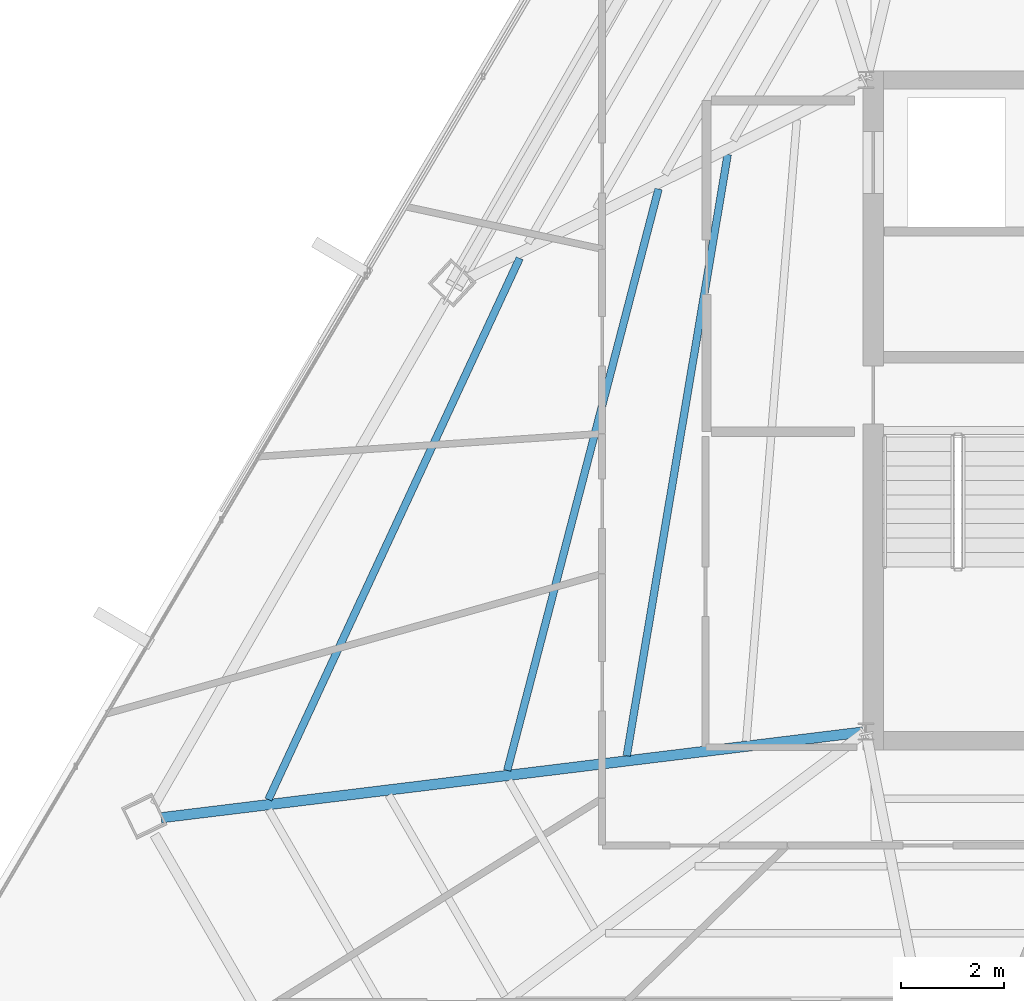
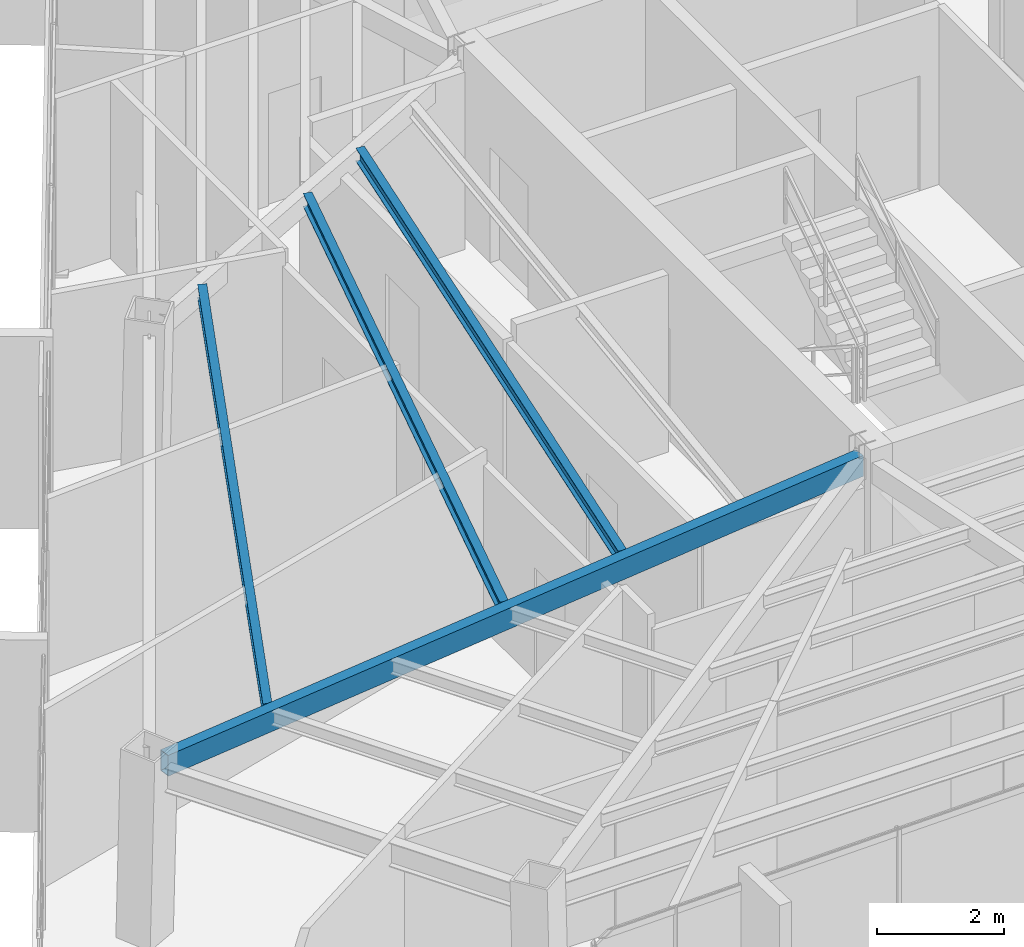
# One storey, part 10 of 45: 4 beams.
"""IFC4 building model written with IfcOpenShell, lengths in metres."""

from ifc_helpers import new_model, si_unit, direction, frame, origin, origin_2d, place, context, subcontext, project, spatial, hollow_rectangle, i_section, extrude, source, transform, mapped, material, material_profile, profile_set, type_object, type_shapes, element, save


model = new_model("IFC4")

# Units and contexts
model_context = context("Model", 3, precision=1e-05, world=origin(), true_north=direction((0.0, 1.0)))
body_context = subcontext(model_context, "Body", "Model", "MODEL_VIEW")
ifc_project = project(units=[si_unit("LENGTHUNIT", "METRE"), si_unit("AREAUNIT", "SQUARE_METRE"), si_unit("VOLUMEUNIT", "CUBIC_METRE"), si_unit("PLANEANGLEUNIT", "RADIAN"), si_unit("MASSUNIT", "GRAM", prefix="KILO")], contexts=[model_context])

# Site, building, storey
site_placement = place(None, origin())
site = spatial("IfcSite", under=ifc_project, at=site_placement, CompositionType="ELEMENT")
building_placement = place(site_placement, origin())
building = spatial("IfcBuilding", under=site, at=building_placement, Name="Caelisora Broadcast Tower", CompositionType="ELEMENT")
storey_placement = place(building_placement, frame((0.0, 0.0, 266.35009765625)))
storey = spatial("IfcBuildingStorey", under=building, at=storey_placement, Name="L70", CompositionType="ELEMENT", Elevation=266.35009765625)

# Beams
ifc_material_1 = material(Name="Steel Grade 350 (AS/NZS 1163 C350L0)", Category="steel")
ifc_material_profile_1 = material_profile(ifc_material_1, hollow_rectangle(XDim=0.199951171875, YDim=0.39990234375, WallThickness=0.012451171875, at=origin_2d()), Name="Steel Grade 350 (AS/NZS 1163 C350L0)")
ifc_profile_set_1 = profile_set([ifc_material_profile_1], Name="Steel Grade 350 (AS/NZS 1163 C350L0)")
beam_type_1 = type_object("IfcBeamType", Name="PG07", PredefinedType="BEAM", material=ifc_profile_set_1)
shared_shape_1 = source(origin(), body_context, "Body", "SweptSolid", [
    extrude(hollow_rectangle(XDim=0.199951171875, YDim=0.39990234375, WallThickness=0.012451171875, at=origin_2d()), origin(), (0.0, 0.0, 1.0), 13.66357421875),
])
type_shapes(beam_type_1, [shared_shape_1])
beam_1_placement = place(storey_placement, frame((30.4404296875, 17.392578125, 3.199951171875), z_axis=(-0.992623866495, -0.121234729613, 0.0), x_axis=(0.121234729613, -0.992623866495, 0.0)))
element("IfcBeam", 1, at=beam_1_placement, inside=storey, type_object=beam_type_1, Name="L70 beam PG07", PredefinedType="BEAM", context=body_context, shape_type="MappedRepresentation", body=[
    mapped(shared_shape_1, transform((0.0, 0.0, 0.0), scale=1.0)),
])
ifc_material_2 = material(Name="Steel Grade 350 (AS/NZS 3679.1)", Category="steel")
ifc_material_profile_2 = material_profile(ifc_material_2, i_section(OverallWidth=0.14599609375, OverallDepth=0.256103515625, WebThickness=0.00634765625, FlangeThickness=0.010986328125, at=origin_2d()), Name="Steel Grade 350 (AS/NZS 3679.1)")
ifc_profile_set_2 = profile_set([ifc_material_profile_2], Name="Steel Grade 350 (AS/NZS 3679.1)")
beam_type_2 = type_object("IfcBeamType", Name="SB04", PredefinedType="JOIST", material=ifc_profile_set_2)
shared_shape_2 = source(origin(), body_context, "Body", "SweptSolid", [
    extrude(i_section(OverallWidth=0.14599609375, OverallDepth=0.256103515625, WebThickness=0.00634765625, FlangeThickness=0.010986328125, at=origin_2d()), origin(), (0.0, 0.0, 1.0), 11.787841796875),
])
beam_2_placement = place(storey_placement, frame((27.8291015625, 28.55859375, 3.271728515625), z_axis=(-0.165564290043, -0.986198999119, 0.0), x_axis=(0.986198999119, -0.165564290043, 0.0)))
element("IfcBeam", 2, at=beam_2_placement, inside=storey, type_object=beam_type_2, Name="L70 beam SB04", PredefinedType="JOIST", context=body_context, shape_type="MappedRepresentation", body=[
    mapped(shared_shape_2, transform((0.0, 0.0, 0.0), scale=1.0)),
])
shared_shape_3 = source(origin(), body_context, "Body", "SweptSolid", [
    extrude(i_section(OverallWidth=0.14599609375, OverallDepth=0.256103515625, WebThickness=0.00634765625, FlangeThickness=0.010986328125, at=origin_2d()), origin(), (0.0, 0.0, 1.0), 11.61376953125),
])
beam_3_placement = place(storey_placement, frame((26.4912109375, 27.890869140625, 3.271728515625), z_axis=(-0.251754355646, -0.96779116777, 0.0), x_axis=(0.96779116777, -0.251754355646, 0.0)))
element("IfcBeam", 3, at=beam_3_placement, inside=storey, type_object=beam_type_2, Name="L70 beam SB04", PredefinedType="JOIST", context=body_context, shape_type="MappedRepresentation", body=[
    mapped(shared_shape_3, transform((0.0, 0.0, 0.0), scale=1.0)),
])
shared_shape_4 = source(origin(), body_context, "Body", "SweptSolid", [
    extrude(i_section(OverallWidth=0.14599609375, OverallDepth=0.256103515625, WebThickness=0.00634765625, FlangeThickness=0.010986328125, at=origin_2d()), origin(), (0.0, 0.0, 1.0), 11.5361328125),
])
type_shapes(beam_type_2, [shared_shape_2, shared_shape_3, shared_shape_4])
beam_4_placement = place(storey_placement, frame((23.806640625, 26.551513671875, 3.271728515625), z_axis=(-0.420993785476, -0.907063521806, 0.0), x_axis=(0.907063521806, -0.420993785476, 0.0)))
element("IfcBeam", 4, at=beam_4_placement, inside=storey, type_object=beam_type_2, Name="L70 beam SB04", PredefinedType="JOIST", context=body_context, shape_type="MappedRepresentation", body=[
    mapped(shared_shape_4, transform((0.0, 0.0, 0.0), scale=1.0)),
])

save(model, "model.ifc")
